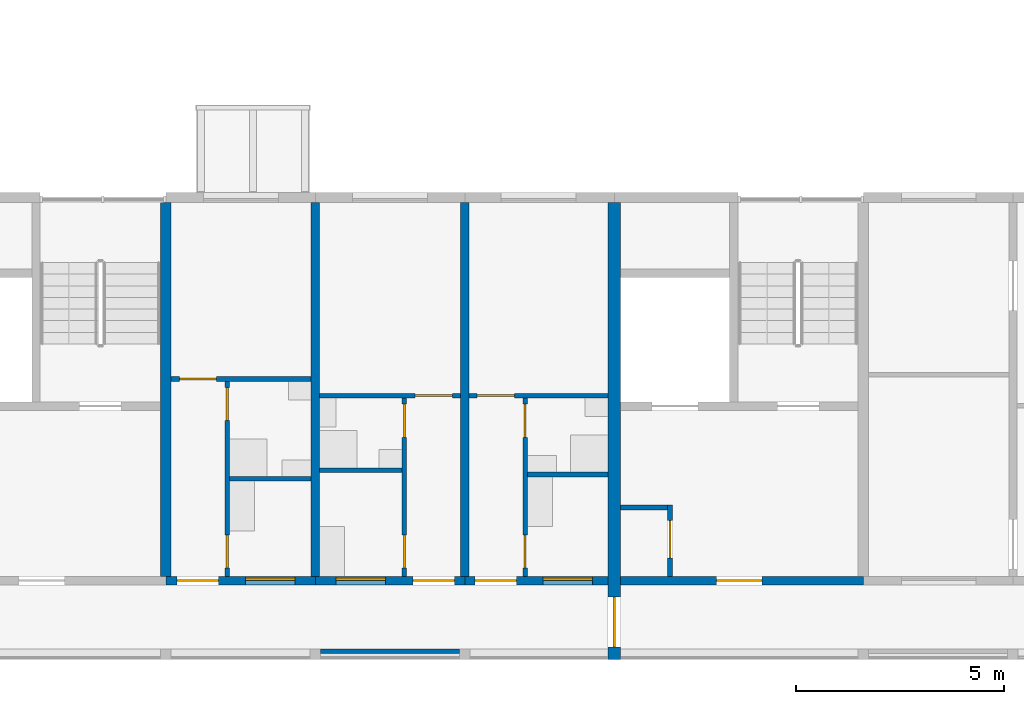
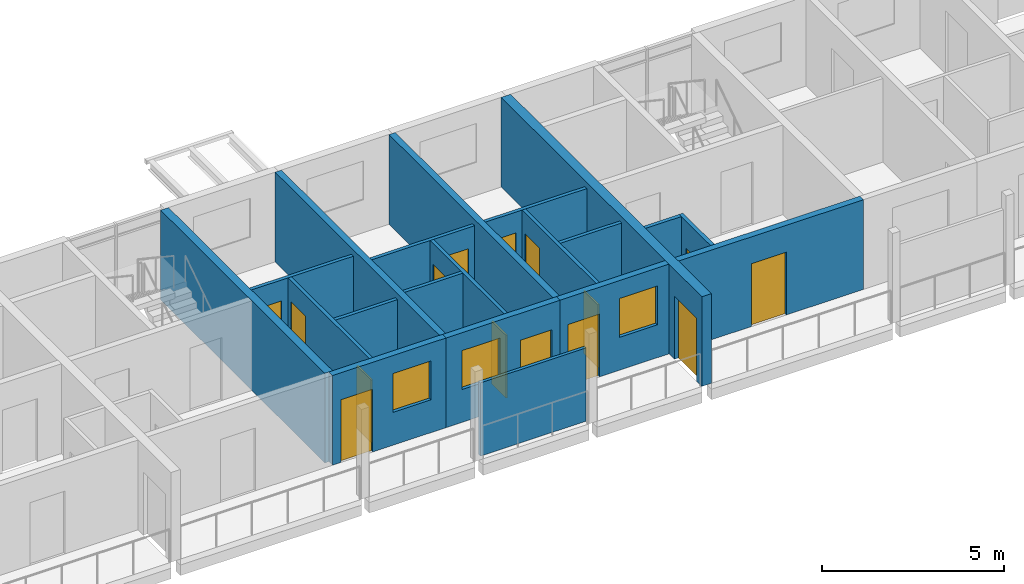
# One storey, part 52 of 94: 20 walls, 15 doors, 3 windows, 18 openings.
"""IFC4 building model written with IfcOpenShell, lengths in metres."""

from ifc_helpers import new_model, si_unit, direction, frame, frame_2d, origin, place, context, subcontext, project, spatial, rectangle, extrude, material, layer, layer_set, type_object, element, fill, save


model = new_model("IFC4")

# Units and contexts
model_context = context("Model", 3, precision=1e-05, world=origin(), true_north=direction((0.0, 1.0)))
body_context = subcontext(model_context, "Body", "Model", "MODEL_VIEW")
ifc_project = project(units=[si_unit("LENGTHUNIT", "METRE"), si_unit("AREAUNIT", "SQUARE_METRE"), si_unit("VOLUMEUNIT", "CUBIC_METRE"), si_unit("PLANEANGLEUNIT", "RADIAN"), si_unit("MASSUNIT", "GRAM", prefix="KILO")], contexts=[model_context])

# Site, building, storey
site_placement = place(None, origin())
site = spatial("IfcSite", under=ifc_project, at=site_placement, CompositionType="ELEMENT")
building_placement = place(site_placement, origin())
building = spatial("IfcBuilding", under=site, at=building_placement, Name="Ridgestep Commons", CompositionType="ELEMENT")
storey_placement = place(building_placement, frame((0.0, 0.0, 21.0)))
storey = spatial("IfcBuildingStorey", under=building, at=storey_placement, Name="L07", CompositionType="ELEMENT", Elevation=21.0)

# Wall
ifc_material_1 = material(Name="Concrete C30/37", Category="concrete")
ifc_layer_1 = layer(ifc_material_1, 0.25)
ifc_layer_set_1 = layer_set([ifc_layer_1], Name="Core cross wall 250")
wall_type_1 = type_object("IfcWallType", Name="Core cross wall 250", PredefinedType="SHEAR", material=ifc_layer_set_1)
wall_1_placement = place(storey_placement, frame((220.0, 13.75, 0.0), z_axis=(0.0, 0.0, 1.0), x_axis=(0.0, 1.0, 0.0)))
element("IfcWall", 1, at=wall_1_placement, inside=storey, type_object=wall_type_1, Name="Cross wall D-07-2200", PredefinedType="SHEAR", context=body_context, shape_type="SweptSolid", body=[
    extrude(rectangle(XDim=9.0, YDim=0.25, at=frame_2d((4.5, 0.0))), origin(), (0.0, 0.0, 1.0), 3.0),
])

# Wall, opening, door
ifc_material_2 = material(Name="Concrete C30/37", Category="concrete")
ifc_layer_2 = layer(ifc_material_2, 0.199951171875)
ifc_layer_set_2 = layer_set([ifc_layer_2], Name="Core south wall 200")
wall_type_2 = type_object("IfcWallType", Name="Core south wall 200", PredefinedType="SHEAR", material=ifc_layer_set_2)
wall_2_placement = place(storey_placement, frame((230.949951171875, 13.64990234375, 0.0), z_axis=(0.0, 0.0, 1.0), x_axis=(1.0, 0.0, 0.0)))
wall_2 = element("IfcWall", 2, at=wall_2_placement, inside=storey, type_object=wall_type_2, Name="Core south wall D6C L07", PredefinedType="SHEAR", context=body_context, shape_type="SweptSolid", body=[
    extrude(rectangle(XDim=5.85009765625, YDim=0.199951171875, at=frame_2d((2.925048828125, 0.0))), origin(), (0.0, 0.0, 1.0), 3.0),
])
opening_1_placement = place(wall_2_placement, frame((2.3125, 0.0, 0.0)))
opening_1 = element("IfcOpeningElement", 3, at=opening_1_placement, cuts=wall_2, Name="Opening D6C/07/1", PredefinedType="OPENING", context=body_context, shape_type="SweptSolid", body=[
    extrude(rectangle(XDim=1.10009765625, YDim=2.10009765625, at=frame_2d((0.550048828125, 1.050048828125))), frame((0.0, 0.10986328125, 0.0), z_axis=(0.0, -1.0, 0.0), x_axis=(1.0, 0.0, 0.0)), (0.0, 0.0, 1.0), 0.219970703125),
])
ifc_material_3 = material(Name="Steel fire door", Category="steel")
door_type_1 = type_object("IfcDoorType", Name="Lobby door 1100 x 2100 FD60", OperationType="NOTDEFINED", PredefinedType="DOOR", material=ifc_material_3)
door_1_placement = place(opening_1_placement, origin())
door_1 = element("IfcDoor", 4, at=door_1_placement, inside=storey, type_object=door_type_1, Name="Lobby door D6C/07/1", OperationType="SINGLE_SWING_LEFT", OverallHeight=2.10009765625, OverallWidth=1.10009765625, PredefinedType="DOOR", context=body_context, shape_type="SweptSolid", body=[
    extrude(rectangle(XDim=1.10009765625, YDim=2.10009765625, at=frame_2d((0.550048828125, 1.050048828125))), frame((0.0, 0.02490234375, 0.0), z_axis=(0.0, -1.0, 0.0), x_axis=(1.0, 0.0, 0.0)), (0.0, 0.0, 1.0), 0.050048828125),
])
fill(opening_1, door_1)

ifc_material_4 = material(Name="Concrete C30/37", Category="concrete")
ifc_layer_3 = layer(ifc_material_4, 0.1201171875)
ifc_layer_set_3 = layer_set([ifc_layer_3], Name="Core wall 120")
wall_type_3 = type_object("IfcWallType", Name="Core wall 120", PredefinedType="SHEAR", material=ifc_layer_set_3)
wall_3_placement = place(storey_placement, frame((232.139892578125, 13.75, 0.0), z_axis=(0.0, 0.0, 1.0), x_axis=(0.0, 1.0, 0.0)))
wall_3 = element("IfcWall", 5, at=wall_3_placement, inside=storey, type_object=wall_type_3, Name="Core riser w wall D6C L07", PredefinedType="SHEAR", context=body_context, shape_type="SweptSolid", body=[
    extrude(rectangle(XDim=1.719970703125, YDim=0.1201171875, at=frame_2d((0.85986328125, 0.0))), origin(), (0.0, 0.0, 1.0), 3.0),
])
opening_2_placement = place(wall_3_placement, frame((0.449951171875, 0.0, 0.0)))
opening_2 = element("IfcOpeningElement", 6, at=opening_2_placement, cuts=wall_3, Name="Opening D6C/07/4", PredefinedType="OPENING", context=body_context, shape_type="SweptSolid", body=[
    extrude(rectangle(XDim=0.89990234375, YDim=2.10009765625, at=frame_2d((0.449951171875, 1.050048828125))), frame((0.0, 0.070068359375, 0.0), z_axis=(0.0, -1.0, 0.0), x_axis=(1.0, 0.0, 0.0)), (0.0, 0.0, 1.0), 0.14013671875),
])
ifc_material_5 = material(Name="Steel fire door", Category="steel")
door_type_2 = type_object("IfcDoorType", Name="Riser door 900 x 2100 FD60", OperationType="NOTDEFINED", PredefinedType="DOOR", material=ifc_material_5)
door_2_placement = place(opening_2_placement, origin())
door_2 = element("IfcDoor", 7, at=door_2_placement, inside=storey, type_object=door_type_2, Name="Riser door D6C/07/4", OperationType="SINGLE_SWING_RIGHT", OverallHeight=2.10009765625, OverallWidth=0.89990234375, PredefinedType="DOOR", context=body_context, shape_type="SweptSolid", body=[
    extrude(rectangle(XDim=0.89990234375, YDim=2.10009765625, at=frame_2d((0.449951171875, 1.050048828125))), frame((0.0, 0.02490234375, 0.0), z_axis=(0.0, -1.0, 0.0), x_axis=(1.0, 0.0, 0.0)), (0.0, 0.0, 1.0), 0.050048828125),
])
fill(opening_2, door_2)

# Walls
wall_4_placement = place(storey_placement, frame((230.949951171875, 15.409912109375, 0.0), z_axis=(0.0, 0.0, 1.0), x_axis=(1.0, 0.0, 0.0)))
element("IfcWall", 8, at=wall_4_placement, inside=storey, type_object=wall_type_3, Name="Core riser n wall D6C L07", PredefinedType="SHEAR", context=body_context, shape_type="SweptSolid", body=[
    extrude(rectangle(XDim=1.130126953125, YDim=0.1201171875, at=frame_2d((0.56494140625, 0.0))), origin(), (0.0, 0.0, 1.0), 3.0),
])
ifc_material_6 = material(Name="Precast concrete C40/50", Category="concrete")
ifc_layer_4 = layer(ifc_material_6, 0.199951171875)
ifc_layer_set_4 = layer_set([ifc_layer_4], Name="Cross wall 200")
wall_type_4 = type_object("IfcWallType", Name="Cross wall 200", PredefinedType="SHEAR", material=ifc_layer_set_4)
for number, where, z_axis, x_axis, name in (
    (9, (223.60009765625, 13.75, 0.0), (0.0, 0.0, 1.0), (0.0, 1.0, 0.0), "Cross wall D-07-2236"),
    (10, (227.199951171875, 13.75, 0.0), (0.0, 0.0, 1.0), (0.0, 1.0, 0.0), "Cross wall D-07-2272"),
):
    element("IfcWall", number, at=place(storey_placement, frame(where, z_axis=z_axis, x_axis=x_axis)), inside=storey, type_object=wall_type_4, Name=name, PredefinedType="SHEAR", context=body_context, shape_type="SweptSolid", body=[
        extrude(rectangle(XDim=9.0, YDim=0.199951171875, at=frame_2d((4.5, 0.0))), origin(), (0.0, 0.0, 1.0), 3.0),
    ])

# Wall, opening, door
ifc_material_7 = material(Name="Precast concrete C40/50", Category="concrete")
ifc_layer_5 = layer(ifc_material_7, 0.300048828125)
ifc_layer_set_5 = layer_set([ifc_layer_5], Name="Division wall 300")
wall_type_5 = type_object("IfcWallType", Name="Division wall 300", PredefinedType="SHEAR", material=ifc_layer_set_5)
wall_5_placement = place(storey_placement, frame((230.800048828125, 11.75, 0.0), z_axis=(0.0, 0.0, 1.0), x_axis=(0.0, 1.0, 0.0)))
wall_5 = element("IfcWall", 11, at=wall_5_placement, inside=storey, type_object=wall_type_5, Name="Cross wall D-07-2308", PredefinedType="SHEAR", context=body_context, shape_type="SweptSolid", body=[
    extrude(rectangle(XDim=11.0, YDim=0.300048828125, at=frame_2d((5.5, 0.0))), origin(), (0.0, 0.0, 1.0), 3.0),
])
opening_3_placement = place(wall_5_placement, frame((0.300048828125, 0.0, 0.0)))
opening_3 = element("IfcOpeningElement", 12, at=opening_3_placement, cuts=wall_5, Name="Opening D/07/G2308", PredefinedType="OPENING", context=body_context, shape_type="SweptSolid", body=[
    extrude(rectangle(XDim=1.199951171875, YDim=2.10009765625, at=frame_2d((0.60009765625, 1.050048828125))), frame((0.0, 0.159912109375, 0.0), z_axis=(0.0, -1.0, 0.0), x_axis=(1.0, 0.0, 0.0)), (0.0, 0.0, 1.0), 0.320068359375),
])
ifc_material_8 = material(Name="Steel fire door", Category="steel")
door_type_3 = type_object("IfcDoorType", Name="Division fire door 1200 x 2100 EI 240", OperationType="DOUBLE_DOOR_SINGLE_SWING", PredefinedType="DOOR", material=ifc_material_8)
door_3_placement = place(opening_3_placement, origin())
door_3 = element("IfcDoor", 13, at=door_3_placement, inside=storey, type_object=door_type_3, Name="Division fire door D/07/G2308", OperationType="DOUBLE_DOOR_SINGLE_SWING", OverallHeight=2.10009765625, OverallWidth=1.199951171875, PredefinedType="DOOR", context=body_context, shape_type="SweptSolid", body=[
    extrude(rectangle(XDim=1.199951171875, YDim=2.10009765625, at=frame_2d((0.60009765625, 1.050048828125))), frame((0.0, 0.02490234375, 0.0), z_axis=(0.0, -1.0, 0.0), x_axis=(1.0, 0.0, 0.0)), (0.0, 0.0, 1.0), 0.050048828125),
])
fill(opening_3, door_3)

# Wall, openings, doors
ifc_material_9 = material(Name="Common brick 110 mm", Category="masonry")
ifc_layer_6 = layer(ifc_material_9, 0.110107421875)
ifc_layer_set_6 = layer_set([ifc_layer_6], Name="Partition 110")
wall_type_6 = type_object("IfcWallType", Name="Partition 110", PredefinedType="PARTITIONING", material=ifc_layer_set_6)
wall_6_placement = place(storey_placement, frame((228.655029296875, 13.75, 0.0), z_axis=(0.0, 0.0, 1.0), x_axis=(0.0, 1.0, 0.0)))
wall_6 = element("IfcWall", 14, at=wall_6_placement, inside=storey, type_object=wall_type_6, Name="Partition D5-07a", PredefinedType="PARTITIONING", context=body_context, shape_type="SweptSolid", body=[
    extrude(rectangle(XDim=4.300048828125, YDim=0.110107421875, at=frame_2d((2.14990234375, 0.0))), origin(), (0.0, 0.0, 1.0), 2.800048828125),
])
opening_4_placement = place(wall_6_placement, frame((0.199951171875, 0.0, 0.0)))
opening_4 = element("IfcOpeningElement", 15, at=opening_4_placement, cuts=wall_6, Name="Opening D5-07a/2", PredefinedType="OPENING", context=body_context, shape_type="SweptSolid", body=[
    extrude(rectangle(XDim=0.800048828125, YDim=2.10009765625, at=frame_2d((0.39990234375, 1.050048828125))), frame((0.0, 0.06494140625, 0.0), z_axis=(0.0, -1.0, 0.0), x_axis=(1.0, 0.0, 0.0)), (0.0, 0.0, 1.0), 0.130126953125),
])
opening_5_placement = place(wall_6_placement, frame((3.35009765625, 0.0, 0.0)))
opening_5 = element("IfcOpeningElement", 16, at=opening_5_placement, cuts=wall_6, Name="Opening D5-07a/3", PredefinedType="OPENING", context=body_context, shape_type="SweptSolid", body=[
    extrude(rectangle(XDim=0.800048828125, YDim=2.10009765625, at=frame_2d((0.39990234375, 1.050048828125))), frame((0.0, 0.06494140625, 0.0), z_axis=(0.0, -1.0, 0.0), x_axis=(1.0, 0.0, 0.0)), (0.0, 0.0, 1.0), 0.130126953125),
])
ifc_material_10 = material(Name="Timber door leaf", Category="wood")
door_type_4 = type_object("IfcDoorType", Name="Internal door 800 x 2100", OperationType="NOTDEFINED", PredefinedType="DOOR", material=ifc_material_10)
door_4_placement = place(opening_4_placement, origin())
door_4 = element("IfcDoor", 17, at=door_4_placement, inside=storey, type_object=door_type_4, Name="Internal door D5-07a/2", OperationType="SINGLE_SWING_RIGHT", OverallHeight=2.10009765625, OverallWidth=0.800048828125, PredefinedType="DOOR", context=body_context, shape_type="SweptSolid", body=[
    extrude(rectangle(XDim=0.800048828125, YDim=2.10009765625, at=frame_2d((0.39990234375, 1.050048828125))), frame((0.0, 0.02490234375, 0.0), z_axis=(0.0, -1.0, 0.0), x_axis=(1.0, 0.0, 0.0)), (0.0, 0.0, 1.0), 0.050048828125),
])
fill(opening_4, door_4)
door_5_placement = place(opening_5_placement, origin())
door_5 = element("IfcDoor", 18, at=door_5_placement, inside=storey, type_object=door_type_4, Name="Internal door D5-07a/3", OperationType="SINGLE_SWING_LEFT", OverallHeight=2.10009765625, OverallWidth=0.800048828125, PredefinedType="DOOR", context=body_context, shape_type="SweptSolid", body=[
    extrude(rectangle(XDim=0.800048828125, YDim=2.10009765625, at=frame_2d((0.39990234375, 1.050048828125))), frame((0.0, 0.02490234375, 0.0), z_axis=(0.0, -1.0, 0.0), x_axis=(1.0, 0.0, 0.0)), (0.0, 0.0, 1.0), 0.050048828125),
])
fill(opening_5, door_5)

# Wall
wall_7_placement = place(storey_placement, frame((228.7099609375, 16.205078125, 0.0), z_axis=(0.0, 0.0, 1.0), x_axis=(1.0, 0.0, 0.0)))
element("IfcWall", 19, at=wall_7_placement, inside=storey, type_object=wall_type_6, Name="Partition D5-07a", PredefinedType="PARTITIONING", context=body_context, shape_type="SweptSolid", body=[
    extrude(rectangle(XDim=1.93994140625, YDim=0.110107421875, at=frame_2d((0.969970703125, 0.0))), origin(), (0.0, 0.0, 1.0), 2.800048828125),
])

# Wall, opening, door
wall_8_placement = place(storey_placement, frame((227.300048828125, 18.10498046875, 0.0), z_axis=(0.0, 0.0, 1.0), x_axis=(1.0, 0.0, 0.0)))
wall_8 = element("IfcWall", 20, at=wall_8_placement, inside=storey, type_object=wall_type_6, Name="Partition D5-07a", PredefinedType="PARTITIONING", context=body_context, shape_type="SweptSolid", body=[
    extrude(rectangle(XDim=3.349853515625, YDim=0.110107421875, at=frame_2d((1.6748046875, 0.0))), origin(), (0.0, 0.0, 1.0), 2.800048828125),
])
opening_6_placement = place(wall_8_placement, frame((0.199951171875, 0.0, 0.0)))
opening_6 = element("IfcOpeningElement", 21, at=opening_6_placement, cuts=wall_8, Name="Opening D5-07a/4", PredefinedType="OPENING", context=body_context, shape_type="SweptSolid", body=[
    extrude(rectangle(XDim=0.89990234375, YDim=2.10009765625, at=frame_2d((0.449951171875, 1.050048828125))), frame((0.0, 0.06494140625, 0.0), z_axis=(0.0, -1.0, 0.0), x_axis=(1.0, 0.0, 0.0)), (0.0, 0.0, 1.0), 0.130126953125),
])
ifc_material_11 = material(Name="Timber door leaf", Category="wood")
door_type_5 = type_object("IfcDoorType", Name="Internal door 900 x 2100", OperationType="NOTDEFINED", PredefinedType="DOOR", material=ifc_material_11)
door_6_placement = place(opening_6_placement, origin())
door_6 = element("IfcDoor", 22, at=door_6_placement, inside=storey, type_object=door_type_5, Name="Internal door D5-07a/4", OperationType="SINGLE_SWING_LEFT", OverallHeight=2.10009765625, OverallWidth=0.89990234375, PredefinedType="DOOR", context=body_context, shape_type="SweptSolid", body=[
    extrude(rectangle(XDim=0.89990234375, YDim=2.10009765625, at=frame_2d((0.449951171875, 1.050048828125))), frame((0.0, 0.02490234375, 0.0), z_axis=(0.0, -1.0, 0.0), x_axis=(1.0, 0.0, 0.0)), (0.0, 0.0, 1.0), 0.050048828125),
])
fill(opening_6, door_6)

# Wall
wall_9_placement = place(storey_placement, frame((223.699951171875, 16.304931640625, 0.0), z_axis=(0.0, 0.0, 1.0), x_axis=(1.0, 0.0, 0.0)))
element("IfcWall", 23, at=wall_9_placement, inside=storey, type_object=wall_type_6, Name="Partition D5-07b", PredefinedType="PARTITIONING", context=body_context, shape_type="SweptSolid", body=[
    extrude(rectangle(XDim=1.989990234375, YDim=0.110107421875, at=frame_2d((0.9951171875, 0.0))), origin(), (0.0, 0.0, 1.0), 2.800048828125),
])

# Wall, openings, doors
wall_10_placement = place(storey_placement, frame((225.7451171875, 13.75, 0.0), z_axis=(0.0, 0.0, 1.0), x_axis=(0.0, 1.0, 0.0)))
wall_10 = element("IfcWall", 24, at=wall_10_placement, inside=storey, type_object=wall_type_6, Name="Partition D5-07b", PredefinedType="PARTITIONING", context=body_context, shape_type="SweptSolid", body=[
    extrude(rectangle(XDim=4.300048828125, YDim=0.110107421875, at=frame_2d((2.14990234375, 0.0))), origin(), (0.0, 0.0, 1.0), 2.800048828125),
])
opening_7_placement = place(wall_10_placement, frame((0.199951171875, 0.0, 0.0)))
opening_7 = element("IfcOpeningElement", 25, at=opening_7_placement, cuts=wall_10, Name="Opening D5-07b/2", PredefinedType="OPENING", context=body_context, shape_type="SweptSolid", body=[
    extrude(rectangle(XDim=0.800048828125, YDim=2.10009765625, at=frame_2d((0.39990234375, 1.050048828125))), frame((0.0, 0.06494140625, 0.0), z_axis=(0.0, -1.0, 0.0), x_axis=(1.0, 0.0, 0.0)), (0.0, 0.0, 1.0), 0.130126953125),
])
opening_8_placement = place(wall_10_placement, frame((3.35009765625, 0.0, 0.0)))
opening_8 = element("IfcOpeningElement", 26, at=opening_8_placement, cuts=wall_10, Name="Opening D5-07b/3", PredefinedType="OPENING", context=body_context, shape_type="SweptSolid", body=[
    extrude(rectangle(XDim=0.800048828125, YDim=2.10009765625, at=frame_2d((0.39990234375, 1.050048828125))), frame((0.0, 0.06494140625, 0.0), z_axis=(0.0, -1.0, 0.0), x_axis=(1.0, 0.0, 0.0)), (0.0, 0.0, 1.0), 0.130126953125),
])
door_7_placement = place(opening_7_placement, origin())
door_7 = element("IfcDoor", 27, at=door_7_placement, inside=storey, type_object=door_type_4, Name="Internal door D5-07b/2", OperationType="SINGLE_SWING_LEFT", OverallHeight=2.10009765625, OverallWidth=0.800048828125, PredefinedType="DOOR", context=body_context, shape_type="SweptSolid", body=[
    extrude(rectangle(XDim=0.800048828125, YDim=2.10009765625, at=frame_2d((0.39990234375, 1.050048828125))), frame((0.0, 0.02490234375, 0.0), z_axis=(0.0, -1.0, 0.0), x_axis=(1.0, 0.0, 0.0)), (0.0, 0.0, 1.0), 0.050048828125),
])
fill(opening_7, door_7)
door_8_placement = place(opening_8_placement, origin())
door_8 = element("IfcDoor", 28, at=door_8_placement, inside=storey, type_object=door_type_4, Name="Internal door D5-07b/3", OperationType="SINGLE_SWING_RIGHT", OverallHeight=2.10009765625, OverallWidth=0.800048828125, PredefinedType="DOOR", context=body_context, shape_type="SweptSolid", body=[
    extrude(rectangle(XDim=0.800048828125, YDim=2.10009765625, at=frame_2d((0.39990234375, 1.050048828125))), frame((0.0, 0.02490234375, 0.0), z_axis=(0.0, -1.0, 0.0), x_axis=(1.0, 0.0, 0.0)), (0.0, 0.0, 1.0), 0.050048828125),
])
fill(opening_8, door_8)

# Wall, opening, door
wall_11_placement = place(storey_placement, frame((223.699951171875, 18.10498046875, 0.0), z_axis=(0.0, 0.0, 1.0), x_axis=(1.0, 0.0, 0.0)))
wall_11 = element("IfcWall", 29, at=wall_11_placement, inside=storey, type_object=wall_type_6, Name="Partition D5-07b", PredefinedType="PARTITIONING", context=body_context, shape_type="SweptSolid", body=[
    extrude(rectangle(XDim=3.400146484375, YDim=0.110107421875, at=frame_2d((1.7001953125, 0.0))), origin(), (0.0, 0.0, 1.0), 2.800048828125),
])
opening_9_placement = place(wall_11_placement, frame((2.300048828125, 0.0, 0.0)))
opening_9 = element("IfcOpeningElement", 30, at=opening_9_placement, cuts=wall_11, Name="Opening D5-07b/4", PredefinedType="OPENING", context=body_context, shape_type="SweptSolid", body=[
    extrude(rectangle(XDim=0.89990234375, YDim=2.10009765625, at=frame_2d((0.449951171875, 1.050048828125))), frame((0.0, 0.06494140625, 0.0), z_axis=(0.0, -1.0, 0.0), x_axis=(1.0, 0.0, 0.0)), (0.0, 0.0, 1.0), 0.130126953125),
])
door_9_placement = place(opening_9_placement, origin())
door_9 = element("IfcDoor", 31, at=door_9_placement, inside=storey, type_object=door_type_5, Name="Internal door D5-07b/4", OperationType="SINGLE_SWING_LEFT", OverallHeight=2.10009765625, OverallWidth=0.89990234375, PredefinedType="DOOR", context=body_context, shape_type="SweptSolid", body=[
    extrude(rectangle(XDim=0.89990234375, YDim=2.10009765625, at=frame_2d((0.449951171875, 1.050048828125))), frame((0.0, 0.02490234375, 0.0), z_axis=(0.0, -1.0, 0.0), x_axis=(1.0, 0.0, 0.0)), (0.0, 0.0, 1.0), 0.050048828125),
])
fill(opening_9, door_9)

# Wall, openings, doors
wall_12_placement = place(storey_placement, frame((221.47998046875, 13.75, 0.0), z_axis=(0.0, 0.0, 1.0), x_axis=(0.0, 1.0, 0.0)))
wall_12 = element("IfcWall", 32, at=wall_12_placement, inside=storey, type_object=wall_type_6, Name="Partition D5-07c", PredefinedType="PARTITIONING", context=body_context, shape_type="SweptSolid", body=[
    extrude(rectangle(XDim=4.699951171875, YDim=0.110107421875, at=frame_2d((2.35009765625, 0.0))), origin(), (0.0, 0.0, 1.0), 2.800048828125),
])
opening_10_placement = place(wall_12_placement, frame((0.199951171875, 0.0, 0.0)))
opening_10 = element("IfcOpeningElement", 33, at=opening_10_placement, cuts=wall_12, Name="Opening D5-07c/2", PredefinedType="OPENING", context=body_context, shape_type="SweptSolid", body=[
    extrude(rectangle(XDim=0.800048828125, YDim=2.10009765625, at=frame_2d((0.39990234375, 1.050048828125))), frame((0.0, 0.06494140625, 0.0), z_axis=(0.0, -1.0, 0.0), x_axis=(1.0, 0.0, 0.0)), (0.0, 0.0, 1.0), 0.130126953125),
])
opening_11_placement = place(wall_12_placement, frame((3.75, 0.0, 0.0)))
opening_11 = element("IfcOpeningElement", 34, at=opening_11_placement, cuts=wall_12, Name="Opening D5-07c/3", PredefinedType="OPENING", context=body_context, shape_type="SweptSolid", body=[
    extrude(rectangle(XDim=0.800048828125, YDim=2.10009765625, at=frame_2d((0.39990234375, 1.050048828125))), frame((0.0, 0.06494140625, 0.0), z_axis=(0.0, -1.0, 0.0), x_axis=(1.0, 0.0, 0.0)), (0.0, 0.0, 1.0), 0.130126953125),
])
door_10_placement = place(opening_10_placement, origin())
door_10 = element("IfcDoor", 35, at=door_10_placement, inside=storey, type_object=door_type_4, Name="Internal door D5-07c/2", OperationType="SINGLE_SWING_RIGHT", OverallHeight=2.10009765625, OverallWidth=0.800048828125, PredefinedType="DOOR", context=body_context, shape_type="SweptSolid", body=[
    extrude(rectangle(XDim=0.800048828125, YDim=2.10009765625, at=frame_2d((0.39990234375, 1.050048828125))), frame((0.0, 0.02490234375, 0.0), z_axis=(0.0, -1.0, 0.0), x_axis=(1.0, 0.0, 0.0)), (0.0, 0.0, 1.0), 0.050048828125),
])
fill(opening_10, door_10)
door_11_placement = place(opening_11_placement, origin())
door_11 = element("IfcDoor", 36, at=door_11_placement, inside=storey, type_object=door_type_4, Name="Internal door D5-07c/3", OperationType="SINGLE_SWING_LEFT", OverallHeight=2.10009765625, OverallWidth=0.800048828125, PredefinedType="DOOR", context=body_context, shape_type="SweptSolid", body=[
    extrude(rectangle(XDim=0.800048828125, YDim=2.10009765625, at=frame_2d((0.39990234375, 1.050048828125))), frame((0.0, 0.02490234375, 0.0), z_axis=(0.0, -1.0, 0.0), x_axis=(1.0, 0.0, 0.0)), (0.0, 0.0, 1.0), 0.050048828125),
])
fill(opening_11, door_11)

# Wall
wall_13_placement = place(storey_placement, frame((221.534912109375, 16.10498046875, 0.0), z_axis=(0.0, 0.0, 1.0), x_axis=(1.0, 0.0, 0.0)))
element("IfcWall", 37, at=wall_13_placement, inside=storey, type_object=wall_type_6, Name="Partition D5-07c", PredefinedType="PARTITIONING", context=body_context, shape_type="SweptSolid", body=[
    extrude(rectangle(XDim=1.965087890625, YDim=0.110107421875, at=frame_2d((0.982421875, 0.0))), origin(), (0.0, 0.0, 1.0), 2.800048828125),
])

# Wall, opening, door
wall_14_placement = place(storey_placement, frame((220.125, 18.5048828125, 0.0), z_axis=(0.0, 0.0, 1.0), x_axis=(1.0, 0.0, 0.0)))
wall_14 = element("IfcWall", 38, at=wall_14_placement, inside=storey, type_object=wall_type_6, Name="Partition D5-07c", PredefinedType="PARTITIONING", context=body_context, shape_type="SweptSolid", body=[
    extrude(rectangle(XDim=3.375, YDim=0.110107421875, at=frame_2d((1.6875, 0.0))), origin(), (0.0, 0.0, 1.0), 2.800048828125),
])
opening_12_placement = place(wall_14_placement, frame((0.199951171875, 0.0, 0.0)))
opening_12 = element("IfcOpeningElement", 39, at=opening_12_placement, cuts=wall_14, Name="Opening D5-07c/4", PredefinedType="OPENING", context=body_context, shape_type="SweptSolid", body=[
    extrude(rectangle(XDim=0.89990234375, YDim=2.10009765625, at=frame_2d((0.449951171875, 1.050048828125))), frame((0.0, 0.06494140625, 0.0), z_axis=(0.0, -1.0, 0.0), x_axis=(1.0, 0.0, 0.0)), (0.0, 0.0, 1.0), 0.130126953125),
])
door_12_placement = place(opening_12_placement, origin())
door_12 = element("IfcDoor", 40, at=door_12_placement, inside=storey, type_object=door_type_5, Name="Internal door D5-07c/4", OperationType="SINGLE_SWING_LEFT", OverallHeight=2.10009765625, OverallWidth=0.89990234375, PredefinedType="DOOR", context=body_context, shape_type="SweptSolid", body=[
    extrude(rectangle(XDim=0.89990234375, YDim=2.10009765625, at=frame_2d((0.449951171875, 1.050048828125))), frame((0.0, 0.02490234375, 0.0), z_axis=(0.0, -1.0, 0.0), x_axis=(1.0, 0.0, 0.0)), (0.0, 0.0, 1.0), 0.050048828125),
])
fill(opening_12, door_12)

# Wall
ifc_material_12 = material(Name="Precast concrete C30/37", Category="concrete")
ifc_layer_7 = layer(ifc_material_12, 0.10009765625)
ifc_layer_set_7 = layer_set([ifc_layer_7], Name="Perforated gallery screen 3350 x 2450 x 100")
wall_type_7 = type_object("IfcWallType", Name="Perforated gallery screen 3350 x 2450 x 100", PredefinedType="SOLIDWALL", material=ifc_layer_set_7)
wall_15_placement = place(storey_placement, frame((223.72509765625, 11.949951171875, 0.0), z_axis=(0.0, 0.0, 1.0), x_axis=(1.0, 0.0, 0.0)))
element("IfcWall", 41, at=wall_15_placement, inside=storey, type_object=wall_type_7, Name="Gallery screen D5T2 07", PredefinedType="SOLIDWALL", context=body_context, shape_type="SweptSolid", body=[
    extrude(rectangle(XDim=3.349853515625, YDim=0.10009765625, at=frame_2d((1.6748046875, 0.0))), origin(), (0.0, 0.0, 1.0), 2.449951171875),
])

# Wall, openings, door, window
ifc_material_13 = material(Name="Precast concrete C40/50", Category="concrete")
ifc_layer_8 = layer(ifc_material_13, 0.199951171875)
ifc_layer_set_8 = layer_set([ifc_layer_8], Name="South facade panel 200")
wall_type_8 = type_object("IfcWallType", Name="South facade panel 200", PredefinedType="SOLIDWALL", material=ifc_layer_set_8)
wall_16_placement = place(storey_placement, frame((220.0, 13.64990234375, 0.0), z_axis=(0.0, 0.0, 1.0), x_axis=(1.0, 0.0, 0.0)))
wall_16 = element("IfcWall", 42, at=wall_16_placement, inside=storey, type_object=wall_type_8, Name="South panel D5T3 L07", PredefinedType="SOLIDWALL", context=body_context, shape_type="SweptSolid", body=[
    extrude(rectangle(XDim=3.60009765625, YDim=0.199951171875, at=frame_2d((1.800048828125, 0.0))), origin(), (0.0, 0.0, 1.0), 3.0),
])
opening_13_placement = place(wall_16_placement, frame((1.91748046875, 0.0, 1.10009765625)))
opening_13 = element("IfcOpeningElement", 43, at=opening_13_placement, cuts=wall_16, Name="Opening W08", PredefinedType="OPENING", context=body_context, shape_type="SweptSolid", body=[
    extrude(rectangle(XDim=1.199951171875, YDim=1.300048828125, at=frame_2d((0.60009765625, 0.64990234375))), frame((0.0, 0.10986328125, 0.0), z_axis=(0.0, -1.0, 0.0), x_axis=(1.0, 0.0, 0.0)), (0.0, 0.0, 1.0), 0.219970703125),
])
opening_14_placement = place(wall_16_placement, frame((0.27490234375, 0.0, 0.0)))
opening_14 = element("IfcOpeningElement", 44, at=opening_14_placement, cuts=wall_16, Name="Opening D5-07c/1", PredefinedType="OPENING", context=body_context, shape_type="SweptSolid", body=[
    extrude(rectangle(XDim=1.0, YDim=2.10009765625, at=frame_2d((0.5, 1.050048828125))), frame((0.0, 0.10986328125, 0.0), z_axis=(0.0, -1.0, 0.0), x_axis=(1.0, 0.0, 0.0)), (0.0, 0.0, 1.0), 0.219970703125),
])
ifc_material_14 = material(Name="Timber door leaf", Category="wood")
door_type_6 = type_object("IfcDoorType", Name="Flat entrance door 1000 x 2100 FD30S", OperationType="NOTDEFINED", PredefinedType="DOOR", material=ifc_material_14)
door_13_placement = place(opening_14_placement, origin())
door_13 = element("IfcDoor", 45, at=door_13_placement, inside=storey, type_object=door_type_6, Name="Flat entrance door D5-07c/1", OperationType="SINGLE_SWING_LEFT", OverallHeight=2.10009765625, OverallWidth=1.0, PredefinedType="DOOR", context=body_context, shape_type="SweptSolid", body=[
    extrude(rectangle(XDim=1.0, YDim=2.10009765625, at=frame_2d((0.5, 1.050048828125))), frame((0.0, 0.02490234375, 0.0), z_axis=(0.0, -1.0, 0.0), x_axis=(1.0, 0.0, 0.0)), (0.0, 0.0, 1.0), 0.050048828125),
])
fill(opening_14, door_13)
ifc_material_15 = material(Name="Aluminium 6063-T6 and glass", Category="aluminium")
window_type = type_object("IfcWindowType", Name="Flat window 1200 x 1300", PartitioningType="SINGLE_PANEL", PredefinedType="WINDOW", material=ifc_material_15)
window_1_placement = place(opening_13_placement, origin())
window_1 = element("IfcWindow", 46, at=window_1_placement, inside=storey, type_object=window_type, Name="Window D5-07c 1", OverallHeight=1.300048828125, OverallWidth=1.199951171875, PartitioningType="SINGLE_PANEL", PredefinedType="WINDOW", context=body_context, shape_type="SweptSolid", body=[
    extrude(rectangle(XDim=1.199951171875, YDim=1.300048828125, at=frame_2d((0.60009765625, 0.64990234375))), frame((0.0, 0.06005859375, 0.0), z_axis=(0.0, -1.0, 0.0), x_axis=(1.0, 0.0, 0.0)), (0.0, 0.0, 1.0), 0.06005859375),
])
fill(opening_13, window_1)

wall_17_placement = place(storey_placement, frame((223.60009765625, 13.64990234375, 0.0), z_axis=(0.0, 0.0, 1.0), x_axis=(1.0, 0.0, 0.0)))
wall_17 = element("IfcWall", 47, at=wall_17_placement, inside=storey, type_object=wall_type_8, Name="South panel D5T2 L07", PredefinedType="SOLIDWALL", context=body_context, shape_type="SweptSolid", body=[
    extrude(rectangle(XDim=3.599853515625, YDim=0.199951171875, at=frame_2d((1.7998046875, 0.0))), origin(), (0.0, 0.0, 1.0), 3.0),
])
opening_15_placement = place(wall_17_placement, frame((0.4951171875, 0.0, 1.10009765625)))
opening_15 = element("IfcOpeningElement", 48, at=opening_15_placement, cuts=wall_17, Name="Opening W08", PredefinedType="OPENING", context=body_context, shape_type="SweptSolid", body=[
    extrude(rectangle(XDim=1.199951171875, YDim=1.300048828125, at=frame_2d((0.60009765625, 0.64990234375))), frame((0.0, 0.10986328125, 0.0), z_axis=(0.0, -1.0, 0.0), x_axis=(1.0, 0.0, 0.0)), (0.0, 0.0, 1.0), 0.219970703125),
])
opening_16_placement = place(wall_17_placement, frame((2.35009765625, 0.0, 0.0)))
opening_16 = element("IfcOpeningElement", 49, at=opening_16_placement, cuts=wall_17, Name="Opening D5-07b/1", PredefinedType="OPENING", context=body_context, shape_type="SweptSolid", body=[
    extrude(rectangle(XDim=1.0, YDim=2.10009765625, at=frame_2d((0.5, 1.050048828125))), frame((0.0, 0.10986328125, 0.0), z_axis=(0.0, -1.0, 0.0), x_axis=(1.0, 0.0, 0.0)), (0.0, 0.0, 1.0), 0.219970703125),
])
door_14_placement = place(opening_16_placement, origin())
door_14 = element("IfcDoor", 50, at=door_14_placement, inside=storey, type_object=door_type_6, Name="Flat entrance door D5-07b/1", OperationType="SINGLE_SWING_RIGHT", OverallHeight=2.10009765625, OverallWidth=1.0, PredefinedType="DOOR", context=body_context, shape_type="SweptSolid", body=[
    extrude(rectangle(XDim=1.0, YDim=2.10009765625, at=frame_2d((0.5, 1.050048828125))), frame((0.0, 0.02490234375, 0.0), z_axis=(0.0, -1.0, 0.0), x_axis=(1.0, 0.0, 0.0)), (0.0, 0.0, 1.0), 0.050048828125),
])
fill(opening_16, door_14)
window_2_placement = place(opening_15_placement, origin())
window_2 = element("IfcWindow", 51, at=window_2_placement, inside=storey, type_object=window_type, Name="Window D5-07b 1", OverallHeight=1.300048828125, OverallWidth=1.199951171875, PartitioningType="SINGLE_PANEL", PredefinedType="WINDOW", context=body_context, shape_type="SweptSolid", body=[
    extrude(rectangle(XDim=1.199951171875, YDim=1.300048828125, at=frame_2d((0.60009765625, 0.64990234375))), frame((0.0, 0.06005859375, 0.0), z_axis=(0.0, -1.0, 0.0), x_axis=(1.0, 0.0, 0.0)), (0.0, 0.0, 1.0), 0.06005859375),
])
fill(opening_15, window_2)

wall_18_placement = place(storey_placement, frame((227.199951171875, 13.64990234375, 0.0), z_axis=(0.0, 0.0, 1.0), x_axis=(1.0, 0.0, 0.0)))
wall_18 = element("IfcWall", 52, at=wall_18_placement, inside=storey, type_object=wall_type_8, Name="South panel D5T1 L07", PredefinedType="SOLIDWALL", context=body_context, shape_type="SweptSolid", body=[
    extrude(rectangle(XDim=3.449951171875, YDim=0.199951171875, at=frame_2d((1.72509765625, 0.0))), origin(), (0.0, 0.0, 1.0), 3.0),
])
opening_17_placement = place(wall_18_placement, frame((1.8798828125, 0.0, 1.10009765625)))
opening_17 = element("IfcOpeningElement", 53, at=opening_17_placement, cuts=wall_18, Name="Opening W08", PredefinedType="OPENING", context=body_context, shape_type="SweptSolid", body=[
    extrude(rectangle(XDim=1.199951171875, YDim=1.300048828125, at=frame_2d((0.60009765625, 0.64990234375))), frame((0.0, 0.10986328125, 0.0), z_axis=(0.0, -1.0, 0.0), x_axis=(1.0, 0.0, 0.0)), (0.0, 0.0, 1.0), 0.219970703125),
])
opening_18_placement = place(wall_18_placement, frame((0.25, 0.0, 0.0)))
opening_18 = element("IfcOpeningElement", 54, at=opening_18_placement, cuts=wall_18, Name="Opening D5-07a/1", PredefinedType="OPENING", context=body_context, shape_type="SweptSolid", body=[
    extrude(rectangle(XDim=1.0, YDim=2.10009765625, at=frame_2d((0.5, 1.050048828125))), frame((0.0, 0.10986328125, 0.0), z_axis=(0.0, -1.0, 0.0), x_axis=(1.0, 0.0, 0.0)), (0.0, 0.0, 1.0), 0.219970703125),
])
door_15_placement = place(opening_18_placement, origin())
door_15 = element("IfcDoor", 55, at=door_15_placement, inside=storey, type_object=door_type_6, Name="Flat entrance door D5-07a/1", OperationType="SINGLE_SWING_LEFT", OverallHeight=2.10009765625, OverallWidth=1.0, PredefinedType="DOOR", context=body_context, shape_type="SweptSolid", body=[
    extrude(rectangle(XDim=1.0, YDim=2.10009765625, at=frame_2d((0.5, 1.050048828125))), frame((0.0, 0.02490234375, 0.0), z_axis=(0.0, -1.0, 0.0), x_axis=(1.0, 0.0, 0.0)), (0.0, 0.0, 1.0), 0.050048828125),
])
fill(opening_18, door_15)
window_3_placement = place(opening_17_placement, origin())
window_3 = element("IfcWindow", 56, at=window_3_placement, inside=storey, type_object=window_type, Name="Window D5-07a 1", OverallHeight=1.300048828125, OverallWidth=1.199951171875, PartitioningType="SINGLE_PANEL", PredefinedType="WINDOW", context=body_context, shape_type="SweptSolid", body=[
    extrude(rectangle(XDim=1.199951171875, YDim=1.300048828125, at=frame_2d((0.60009765625, 0.64990234375))), frame((0.0, 0.06005859375, 0.0), z_axis=(0.0, -1.0, 0.0), x_axis=(1.0, 0.0, 0.0)), (0.0, 0.0, 1.0), 0.06005859375),
])
fill(opening_17, window_3)

save(model, "model.ifc")
